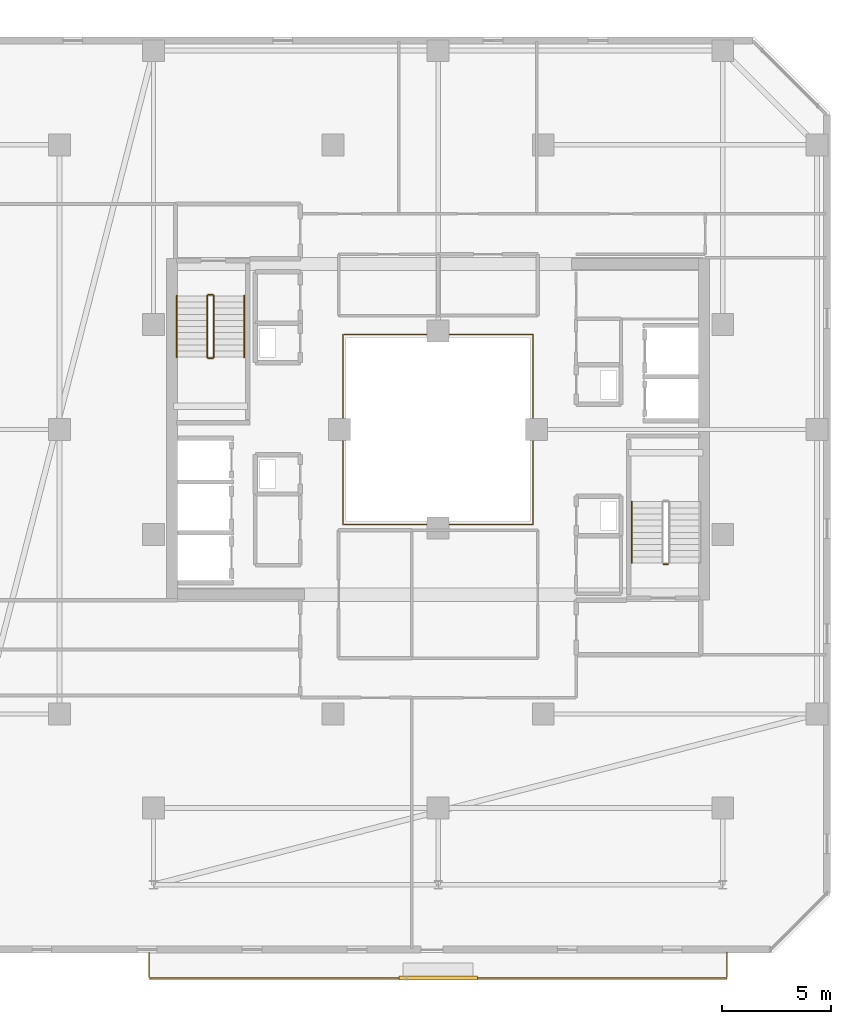
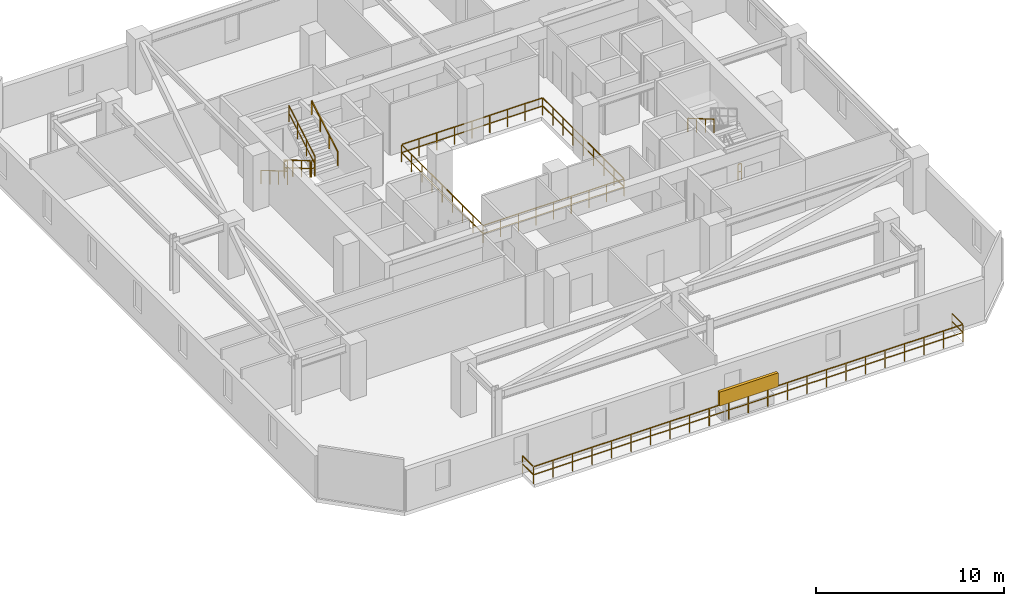
# One storey, part 32 of 33: 10 railings, 1 shading device.
"""IFC4 building model written with IfcOpenShell, lengths in metres."""

from ifc_helpers import new_model, si_unit, direction, frame, origin, origin_2d, place, context, subcontext, project, spatial, rectangle, extrude, material, type_object, element, save


model = new_model("IFC4")

# Units and contexts
model_context = context("Model", 3, precision=1e-05, world=origin(), true_north=direction((0.0, 1.0)))
body_context = subcontext(model_context, "Body", "Model", "MODEL_VIEW")
ifc_project = project(units=[si_unit("LENGTHUNIT", "METRE"), si_unit("AREAUNIT", "SQUARE_METRE"), si_unit("VOLUMEUNIT", "CUBIC_METRE"), si_unit("PLANEANGLEUNIT", "RADIAN"), si_unit("MASSUNIT", "GRAM", prefix="KILO")], contexts=[model_context])

# Site, building, storey
site_placement = place(None, origin())
site = spatial("IfcSite", under=ifc_project, at=site_placement, CompositionType="ELEMENT")
building_placement = place(site_placement, origin())
building = spatial("IfcBuilding", under=site, at=building_placement, Name="Thornwick Lancets Civic Towers", CompositionType="ELEMENT")
storey_placement = place(building_placement, frame((0.0, 0.0, 210.89990234375)))
storey = spatial("IfcBuildingStorey", under=building, at=storey_placement, Name="L56", CompositionType="ELEMENT", Elevation=210.89990234375)

# Railings
ifc_material_1 = material(Name="Laminated glass and bronze steel S355", Category="steel")
railing_type_1 = type_object("IfcRailingType", Name="RAIL_ATRIUM_GUARD", PredefinedType="BALUSTRADE", material=ifc_material_1)
railing_1_placement = place(storey_placement, frame((84.159912109375, 22.659912109375, 0.0)))
element("IfcRailing", 1, at=railing_1_placement, inside=storey, type_object=railing_type_1, Name="L56 Tower B Central Atrium Guard Balustrade", PredefinedType="BALUSTRADE", context=body_context, shape_type="SweptSolid", body=[
    extrude(rectangle(XDim=0.048095703125, YDim=0.048095703125, at=origin_2d()), frame((0.0, 0.0, 1.1259765625), z_axis=(1.0, 0.0, 0.0), x_axis=(0.0, 1.0, 0.0)), (0.0, 0.0, 1.0), 8.64892578125),
    extrude(rectangle(XDim=0.0419921875, YDim=0.0419921875, at=origin_2d()), frame((0.03759765625, 0.0, 0.597900390625), z_axis=(1.0, 0.0, 0.0), x_axis=(0.0, 1.0, 0.0)), (0.0, 0.0, 1.0), 1.010009765625),
    extrude(rectangle(XDim=0.0419921875, YDim=0.0419921875, at=origin_2d()), frame((1.12255859375, 0.0, 0.597900390625), z_axis=(1.0, 0.0, 0.0), x_axis=(0.0, 1.0, 0.0)), (0.0, 0.0, 1.0), 1.010009765625),
    extrude(rectangle(XDim=0.0419921875, YDim=0.0419921875, at=origin_2d()), frame((2.20751953125, 0.0, 0.597900390625), z_axis=(1.0, 0.0, 0.0), x_axis=(0.0, 1.0, 0.0)), (0.0, 0.0, 1.0), 1.010009765625),
    extrude(rectangle(XDim=0.0419921875, YDim=0.0419921875, at=origin_2d()), frame((3.29248046875, 0.0, 0.597900390625), z_axis=(1.0, 0.0, 0.0), x_axis=(0.0, 1.0, 0.0)), (0.0, 0.0, 1.0), 1.010009765625),
    extrude(rectangle(XDim=0.0419921875, YDim=0.0419921875, at=origin_2d()), frame((4.377685546875, 0.0, 0.597900390625), z_axis=(1.0, 0.0, 0.0), x_axis=(0.0, 1.0, 0.0)), (0.0, 0.0, 1.0), 1.010009765625),
    extrude(rectangle(XDim=0.0419921875, YDim=0.0419921875, at=origin_2d()), frame((5.462646484375, 0.0, 0.597900390625), z_axis=(1.0, 0.0, 0.0), x_axis=(0.0, 1.0, 0.0)), (0.0, 0.0, 1.0), 1.010009765625),
    extrude(rectangle(XDim=0.0419921875, YDim=0.0419921875, at=origin_2d()), frame((6.547607421875, 0.0, 0.597900390625), z_axis=(1.0, 0.0, 0.0), x_axis=(0.0, 1.0, 0.0)), (0.0, 0.0, 1.0), 1.010009765625),
    extrude(rectangle(XDim=0.0419921875, YDim=0.0419921875, at=origin_2d()), frame((7.632568359375, 0.0, 0.597900390625), z_axis=(1.0, 0.0, 0.0), x_axis=(0.0, 1.0, 0.0)), (0.0, 0.0, 1.0), 1.010009765625),
    extrude(rectangle(XDim=0.048095703125, YDim=0.048095703125, at=origin_2d()), frame((8.68017578125, 0.03125, 1.1259765625), z_axis=(0.0, 1.0, 0.0), x_axis=(-1.0, 0.0, 0.0)), (0.0, 0.0, 1.0), 8.61767578125),
    extrude(rectangle(XDim=0.0419921875, YDim=0.0419921875, at=origin_2d()), frame((8.68017578125, 0.03759765625, 0.597900390625), z_axis=(0.0, 1.0, 0.0), x_axis=(-1.0, 0.0, 0.0)), (0.0, 0.0, 1.0), 1.010009765625),
    extrude(rectangle(XDim=0.0419921875, YDim=0.0419921875, at=origin_2d()), frame((8.68017578125, 1.12255859375, 0.597900390625), z_axis=(0.0, 1.0, 0.0), x_axis=(-1.0, 0.0, 0.0)), (0.0, 0.0, 1.0), 1.010009765625),
    extrude(rectangle(XDim=0.0419921875, YDim=0.0419921875, at=origin_2d()), frame((8.68017578125, 2.20751953125, 0.597900390625), z_axis=(0.0, 1.0, 0.0), x_axis=(-1.0, 0.0, 0.0)), (0.0, 0.0, 1.0), 1.010009765625),
    extrude(rectangle(XDim=0.0419921875, YDim=0.0419921875, at=origin_2d()), frame((8.68017578125, 3.29248046875, 0.597900390625), z_axis=(0.0, 1.0, 0.0), x_axis=(-1.0, 0.0, 0.0)), (0.0, 0.0, 1.0), 1.010009765625),
    extrude(rectangle(XDim=0.0419921875, YDim=0.0419921875, at=origin_2d()), frame((8.68017578125, 4.377685546875, 0.597900390625), z_axis=(0.0, 1.0, 0.0), x_axis=(-1.0, 0.0, 0.0)), (0.0, 0.0, 1.0), 1.010009765625),
    extrude(rectangle(XDim=0.0419921875, YDim=0.0419921875, at=origin_2d()), frame((8.68017578125, 5.462646484375, 0.597900390625), z_axis=(0.0, 1.0, 0.0), x_axis=(-1.0, 0.0, 0.0)), (0.0, 0.0, 1.0), 1.010009765625),
    extrude(rectangle(XDim=0.0419921875, YDim=0.0419921875, at=origin_2d()), frame((8.68017578125, 6.547607421875, 0.597900390625), z_axis=(0.0, 1.0, 0.0), x_axis=(-1.0, 0.0, 0.0)), (0.0, 0.0, 1.0), 1.010009765625),
    extrude(rectangle(XDim=0.0419921875, YDim=0.0419921875, at=origin_2d()), frame((8.68017578125, 7.632568359375, 0.597900390625), z_axis=(0.0, 1.0, 0.0), x_axis=(-1.0, 0.0, 0.0)), (0.0, 0.0, 1.0), 1.010009765625),
    extrude(rectangle(XDim=0.048095703125, YDim=0.048095703125, at=origin_2d()), frame((8.64892578125, 8.68017578125, 1.1259765625), z_axis=(-1.0, 0.0, 0.0), x_axis=(0.0, -1.0, 0.0)), (0.0, 0.0, 1.0), 8.61767578125),
    extrude(rectangle(XDim=0.0419921875, YDim=0.0419921875, at=origin_2d()), frame((8.642578125, 8.68017578125, 0.597900390625), z_axis=(-1.0, 0.0, 0.0), x_axis=(0.0, -1.0, 0.0)), (0.0, 0.0, 1.0), 1.010009765625),
    extrude(rectangle(XDim=0.0419921875, YDim=0.0419921875, at=origin_2d()), frame((7.5576171875, 8.68017578125, 0.597900390625), z_axis=(-1.0, 0.0, 0.0), x_axis=(0.0, -1.0, 0.0)), (0.0, 0.0, 1.0), 1.010009765625),
    extrude(rectangle(XDim=0.0419921875, YDim=0.0419921875, at=origin_2d()), frame((6.47265625, 8.68017578125, 0.597900390625), z_axis=(-1.0, 0.0, 0.0), x_axis=(0.0, -1.0, 0.0)), (0.0, 0.0, 1.0), 1.010009765625),
    extrude(rectangle(XDim=0.0419921875, YDim=0.0419921875, at=origin_2d()), frame((5.3876953125, 8.68017578125, 0.597900390625), z_axis=(-1.0, 0.0, 0.0), x_axis=(0.0, -1.0, 0.0)), (0.0, 0.0, 1.0), 1.010009765625),
    extrude(rectangle(XDim=0.0419921875, YDim=0.0419921875, at=origin_2d()), frame((4.302490234375, 8.68017578125, 0.597900390625), z_axis=(-1.0, 0.0, 0.0), x_axis=(0.0, -1.0, 0.0)), (0.0, 0.0, 1.0), 1.010009765625),
    extrude(rectangle(XDim=0.0419921875, YDim=0.0419921875, at=origin_2d()), frame((3.217529296875, 8.68017578125, 0.597900390625), z_axis=(-1.0, 0.0, 0.0), x_axis=(0.0, -1.0, 0.0)), (0.0, 0.0, 1.0), 1.010009765625),
    extrude(rectangle(XDim=0.0419921875, YDim=0.0419921875, at=origin_2d()), frame((2.132568359375, 8.68017578125, 0.597900390625), z_axis=(-1.0, 0.0, 0.0), x_axis=(0.0, -1.0, 0.0)), (0.0, 0.0, 1.0), 1.010009765625),
    extrude(rectangle(XDim=0.0419921875, YDim=0.0419921875, at=origin_2d()), frame((1.047607421875, 8.68017578125, 0.597900390625), z_axis=(-1.0, 0.0, 0.0), x_axis=(0.0, -1.0, 0.0)), (0.0, 0.0, 1.0), 1.010009765625),
    extrude(rectangle(XDim=0.048095703125, YDim=0.048095703125, at=origin_2d()), frame((0.0, 8.64892578125, 1.1259765625), z_axis=(0.0, -1.0, 0.0), x_axis=(1.0, 0.0, 0.0)), (0.0, 0.0, 1.0), 8.64892578125),
    extrude(rectangle(XDim=0.0419921875, YDim=0.0419921875, at=origin_2d()), frame((0.0, 8.642578125, 0.597900390625), z_axis=(0.0, -1.0, 0.0), x_axis=(1.0, 0.0, 0.0)), (0.0, 0.0, 1.0), 1.010009765625),
    extrude(rectangle(XDim=0.0419921875, YDim=0.0419921875, at=origin_2d()), frame((0.0, 7.5576171875, 0.597900390625), z_axis=(0.0, -1.0, 0.0), x_axis=(1.0, 0.0, 0.0)), (0.0, 0.0, 1.0), 1.010009765625),
    extrude(rectangle(XDim=0.0419921875, YDim=0.0419921875, at=origin_2d()), frame((0.0, 6.47265625, 0.597900390625), z_axis=(0.0, -1.0, 0.0), x_axis=(1.0, 0.0, 0.0)), (0.0, 0.0, 1.0), 1.010009765625),
    extrude(rectangle(XDim=0.0419921875, YDim=0.0419921875, at=origin_2d()), frame((0.0, 5.3876953125, 0.597900390625), z_axis=(0.0, -1.0, 0.0), x_axis=(1.0, 0.0, 0.0)), (0.0, 0.0, 1.0), 1.010009765625),
    extrude(rectangle(XDim=0.0419921875, YDim=0.0419921875, at=origin_2d()), frame((0.0, 4.302490234375, 0.597900390625), z_axis=(0.0, -1.0, 0.0), x_axis=(1.0, 0.0, 0.0)), (0.0, 0.0, 1.0), 1.010009765625),
    extrude(rectangle(XDim=0.0419921875, YDim=0.0419921875, at=origin_2d()), frame((0.0, 3.217529296875, 0.597900390625), z_axis=(0.0, -1.0, 0.0), x_axis=(1.0, 0.0, 0.0)), (0.0, 0.0, 1.0), 1.010009765625),
    extrude(rectangle(XDim=0.0419921875, YDim=0.0419921875, at=origin_2d()), frame((0.0, 2.132568359375, 0.597900390625), z_axis=(0.0, -1.0, 0.0), x_axis=(1.0, 0.0, 0.0)), (0.0, 0.0, 1.0), 1.010009765625),
    extrude(rectangle(XDim=0.0419921875, YDim=0.0419921875, at=origin_2d()), frame((0.0, 1.047607421875, 0.597900390625), z_axis=(0.0, -1.0, 0.0), x_axis=(1.0, 0.0, 0.0)), (0.0, 0.0, 1.0), 1.010009765625),
    extrude(rectangle(XDim=0.0419921875, YDim=0.0419921875, at=origin_2d()), origin(), (0.0, 0.0, 1.0), 1.095703125),
    extrude(rectangle(XDim=0.0419921875, YDim=0.0419921875, at=origin_2d()), frame((1.0849609375, 0.0, 0.0)), (0.0, 0.0, 1.0), 1.095703125),
    extrude(rectangle(XDim=0.0419921875, YDim=0.0419921875, at=origin_2d()), frame((2.169921875, 0.0, 0.0)), (0.0, 0.0, 1.0), 1.095703125),
    extrude(rectangle(XDim=0.0419921875, YDim=0.0419921875, at=origin_2d()), frame((3.255126953125, 0.0, 0.0)), (0.0, 0.0, 1.0), 1.095703125),
    extrude(rectangle(XDim=0.0419921875, YDim=0.0419921875, at=origin_2d()), frame((4.340087890625, 0.0, 0.0)), (0.0, 0.0, 1.0), 1.095703125),
    extrude(rectangle(XDim=0.0419921875, YDim=0.0419921875, at=origin_2d()), frame((5.425048828125, 0.0, 0.0)), (0.0, 0.0, 1.0), 1.095703125),
    extrude(rectangle(XDim=0.0419921875, YDim=0.0419921875, at=origin_2d()), frame((6.51025390625, 0.0, 0.0)), (0.0, 0.0, 1.0), 1.095703125),
    extrude(rectangle(XDim=0.0419921875, YDim=0.0419921875, at=origin_2d()), frame((7.59521484375, 0.0, 0.0)), (0.0, 0.0, 1.0), 1.095703125),
    extrude(rectangle(XDim=0.0419921875, YDim=0.0419921875, at=origin_2d()), frame((8.68017578125, 0.0, 0.0)), (0.0, 0.0, 1.0), 1.095703125),
    extrude(rectangle(XDim=0.0419921875, YDim=0.0419921875, at=origin_2d()), frame((8.68017578125, 1.0849609375, 0.0)), (0.0, 0.0, 1.0), 1.095703125),
    extrude(rectangle(XDim=0.0419921875, YDim=0.0419921875, at=origin_2d()), frame((8.68017578125, 2.169921875, 0.0)), (0.0, 0.0, 1.0), 1.095703125),
    extrude(rectangle(XDim=0.0419921875, YDim=0.0419921875, at=origin_2d()), frame((8.68017578125, 3.255126953125, 0.0)), (0.0, 0.0, 1.0), 1.095703125),
    extrude(rectangle(XDim=0.0419921875, YDim=0.0419921875, at=origin_2d()), frame((8.68017578125, 4.340087890625, 0.0)), (0.0, 0.0, 1.0), 1.095703125),
    extrude(rectangle(XDim=0.0419921875, YDim=0.0419921875, at=origin_2d()), frame((8.68017578125, 5.425048828125, 0.0)), (0.0, 0.0, 1.0), 1.095703125),
    extrude(rectangle(XDim=0.0419921875, YDim=0.0419921875, at=origin_2d()), frame((8.68017578125, 6.51025390625, 0.0)), (0.0, 0.0, 1.0), 1.095703125),
    extrude(rectangle(XDim=0.0419921875, YDim=0.0419921875, at=origin_2d()), frame((8.68017578125, 7.59521484375, 0.0)), (0.0, 0.0, 1.0), 1.095703125),
    extrude(rectangle(XDim=0.0419921875, YDim=0.0419921875, at=origin_2d()), frame((8.68017578125, 8.68017578125, 0.0)), (0.0, 0.0, 1.0), 1.095703125),
    extrude(rectangle(XDim=0.0419921875, YDim=0.0419921875, at=origin_2d()), frame((7.59521484375, 8.68017578125, 0.0)), (0.0, 0.0, 1.0), 1.095703125),
    extrude(rectangle(XDim=0.0419921875, YDim=0.0419921875, at=origin_2d()), frame((6.51025390625, 8.68017578125, 0.0)), (0.0, 0.0, 1.0), 1.095703125),
    extrude(rectangle(XDim=0.0419921875, YDim=0.0419921875, at=origin_2d()), frame((5.425048828125, 8.68017578125, 0.0)), (0.0, 0.0, 1.0), 1.095703125),
    extrude(rectangle(XDim=0.0419921875, YDim=0.0419921875, at=origin_2d()), frame((4.340087890625, 8.68017578125, 0.0)), (0.0, 0.0, 1.0), 1.095703125),
    extrude(rectangle(XDim=0.0419921875, YDim=0.0419921875, at=origin_2d()), frame((3.255126953125, 8.68017578125, 0.0)), (0.0, 0.0, 1.0), 1.095703125),
    extrude(rectangle(XDim=0.0419921875, YDim=0.0419921875, at=origin_2d()), frame((2.169921875, 8.68017578125, 0.0)), (0.0, 0.0, 1.0), 1.095703125),
    extrude(rectangle(XDim=0.0419921875, YDim=0.0419921875, at=origin_2d()), frame((1.0849609375, 8.68017578125, 0.0)), (0.0, 0.0, 1.0), 1.095703125),
    extrude(rectangle(XDim=0.0419921875, YDim=0.0419921875, at=origin_2d()), frame((0.0, 8.68017578125, 0.0)), (0.0, 0.0, 1.0), 1.095703125),
    extrude(rectangle(XDim=0.0419921875, YDim=0.0419921875, at=origin_2d()), frame((0.0, 7.59521484375, 0.0)), (0.0, 0.0, 1.0), 1.095703125),
    extrude(rectangle(XDim=0.0419921875, YDim=0.0419921875, at=origin_2d()), frame((0.0, 6.51025390625, 0.0)), (0.0, 0.0, 1.0), 1.095703125),
    extrude(rectangle(XDim=0.0419921875, YDim=0.0419921875, at=origin_2d()), frame((0.0, 5.425048828125, 0.0)), (0.0, 0.0, 1.0), 1.095703125),
    extrude(rectangle(XDim=0.0419921875, YDim=0.0419921875, at=origin_2d()), frame((0.0, 4.340087890625, 0.0)), (0.0, 0.0, 1.0), 1.095703125),
    extrude(rectangle(XDim=0.0419921875, YDim=0.0419921875, at=origin_2d()), frame((0.0, 3.255126953125, 0.0)), (0.0, 0.0, 1.0), 1.095703125),
    extrude(rectangle(XDim=0.0419921875, YDim=0.0419921875, at=origin_2d()), frame((0.0, 2.169921875, 0.0)), (0.0, 0.0, 1.0), 1.095703125),
    extrude(rectangle(XDim=0.0419921875, YDim=0.0419921875, at=origin_2d()), frame((0.0, 1.0849609375, 0.0)), (0.0, 0.0, 1.0), 1.095703125),
])
ifc_material_2 = material(Name="Brushed stainless steel S355", Category="steel")
railing_type_2 = type_object("IfcRailingType", Name="RAIL_HANDRAIL", PredefinedType="HANDRAIL", material=ifc_material_2)
railing_2_placement = place(storey_placement, frame((97.35009765625, 23.699951171875, 1.963623046875)))
element("IfcRailing", 2, at=railing_2_placement, inside=storey, type_object=railing_type_2, Name="L56 ST-B1 stair handrail 2", PredefinedType="HANDRAIL", context=body_context, shape_type="SweptSolid", body=[
    extrude(rectangle(XDim=0.048095703125, YDim=0.048095703125, at=origin_2d()), frame((0.0, 0.0, 0.8857421875), z_axis=(0.0, -0.863360870873, 0.504586966384), x_axis=(1.0, 0.0, 0.0)), (0.0, 0.0, 1.0), 3.2431640625),
    extrude(rectangle(XDim=0.0419921875, YDim=0.0419921875, at=origin_2d()), origin(), (0.0, 0.0, 1.0), 0.855712890625),
    extrude(rectangle(XDim=0.0419921875, YDim=0.0419921875, at=origin_2d()), frame((0.0, -0.933349609375, 0.54541015625)), (0.0, 0.0, 1.0), 0.855712890625),
    extrude(rectangle(XDim=0.0419921875, YDim=0.0419921875, at=origin_2d()), frame((0.0, -1.86669921875, 1.091064453125)), (0.0, 0.0, 1.0), 0.855712890625),
    extrude(rectangle(XDim=0.0419921875, YDim=0.0419921875, at=origin_2d()), frame((0.0, -2.800048828125, 1.636474609375)), (0.0, 0.0, 1.0), 0.855712890625),
])
railing_3_placement = place(storey_placement, frame((76.550048828125, 33.10009765625, 0.163818359375)))
element("IfcRailing", 3, at=railing_3_placement, inside=storey, type_object=railing_type_2, Name="L56 ST-B2 stair handrail 1", PredefinedType="HANDRAIL", context=body_context, shape_type="SweptSolid", body=[
    extrude(rectangle(XDim=0.048095703125, YDim=0.048095703125, at=origin_2d()), frame((0.0, 0.0, 0.8857421875), z_axis=(0.0, -0.863393664356, 0.504530851732), x_axis=(1.0, 0.0, 0.0)), (0.0, 0.0, 1.0), 3.2431640625),
    extrude(rectangle(XDim=0.0419921875, YDim=0.0419921875, at=origin_2d()), origin(), (0.0, 0.0, 1.0), 0.855712890625),
    extrude(rectangle(XDim=0.0419921875, YDim=0.0419921875, at=origin_2d()), frame((0.0, -0.933349609375, 0.54541015625)), (0.0, 0.0, 1.0), 0.855712890625),
    extrude(rectangle(XDim=0.0419921875, YDim=0.0419921875, at=origin_2d()), frame((0.0, -1.86669921875, 1.0908203125)), (0.0, 0.0, 1.0), 0.855712890625),
    extrude(rectangle(XDim=0.0419921875, YDim=0.0419921875, at=origin_2d()), frame((0.0, -2.800048828125, 1.63623046875)), (0.0, 0.0, 1.0), 0.855712890625),
])
railing_4_placement = place(storey_placement, frame((79.64990234375, 30.300048828125, 1.963623046875)))
element("IfcRailing", 4, at=railing_4_placement, inside=storey, type_object=railing_type_2, Name="L56 ST-B2 stair handrail 2", PredefinedType="HANDRAIL", context=body_context, shape_type="SweptSolid", body=[
    extrude(rectangle(XDim=0.048095703125, YDim=0.048095703125, at=origin_2d()), frame((0.0, 0.0, 0.8857421875), z_axis=(0.0, 0.863360870873, 0.504586966384), x_axis=(-1.0, 0.0, 0.0)), (0.0, 0.0, 1.0), 3.2431640625),
    extrude(rectangle(XDim=0.0419921875, YDim=0.0419921875, at=origin_2d()), origin(), (0.0, 0.0, 1.0), 0.855712890625),
    extrude(rectangle(XDim=0.0419921875, YDim=0.0419921875, at=origin_2d()), frame((0.0, 0.933349609375, 0.54541015625)), (0.0, 0.0, 1.0), 0.855712890625),
    extrude(rectangle(XDim=0.0419921875, YDim=0.0419921875, at=origin_2d()), frame((0.0, 1.86669921875, 1.091064453125)), (0.0, 0.0, 1.0), 0.855712890625),
    extrude(rectangle(XDim=0.0419921875, YDim=0.0419921875, at=origin_2d()), frame((0.0, 2.800048828125, 1.636474609375)), (0.0, 0.0, 1.0), 0.855712890625),
])
ifc_material_3 = material(Name="Steel S355JR", Category="steel")
railing_type_3 = type_object("IfcRailingType", Name="RAIL_STAIR_GUARD", PredefinedType="GUARDRAIL", material=ifc_material_3)
railing_5_placement = place(storey_placement, frame((99.0, 20.85009765625, 0.0)))
element("IfcRailing", 5, at=railing_5_placement, inside=storey, type_object=railing_type_3, Name="L56 ST-B1 stair guard 4", PredefinedType="GUARDRAIL", context=body_context, shape_type="SweptSolid", body=[
    extrude(rectangle(XDim=0.048095703125, YDim=0.048095703125, at=origin_2d()), frame((0.0, 0.0, 1.076171875), z_axis=(-1.0, 0.0, 0.0), x_axis=(0.0, -1.0, 0.0)), (0.0, 0.0, 1.0), 0.199951171875),
    extrude(rectangle(XDim=0.0419921875, YDim=0.0419921875, at=origin_2d()), frame((-0.03759765625, 0.0, 0.572021484375), z_axis=(-1.0, 0.0, 0.0), x_axis=(0.0, -1.0, 0.0)), (0.0, 0.0, 1.0), 0.125),
    extrude(rectangle(XDim=0.0419921875, YDim=0.0419921875, at=origin_2d()), origin(), (0.0, 0.0, 1.0), 1.0458984375),
    extrude(rectangle(XDim=0.0419921875, YDim=0.0419921875, at=origin_2d()), frame((-0.199951171875, 0.0, 0.0)), (0.0, 0.0, 1.0), 1.0458984375),
])
railing_6_placement = place(storey_placement, frame((77.949951171875, 33.10009765625, 0.163818359375)))
element("IfcRailing", 6, at=railing_6_placement, inside=storey, type_object=railing_type_3, Name="L56 ST-B2 stair guard 1", PredefinedType="GUARDRAIL", context=body_context, shape_type="SweptSolid", body=[
    extrude(rectangle(XDim=0.048095703125, YDim=0.048095703125, at=origin_2d()), frame((0.0, 0.0, 1.076171875), z_axis=(0.0, -0.863393664356, 0.504530851732), x_axis=(1.0, 0.0, 0.0)), (0.0, 0.0, 1.0), 3.2431640625),
    extrude(rectangle(XDim=0.0419921875, YDim=0.0419921875, at=origin_2d()), frame((0.0, -0.032470703125, 0.591064453125), z_axis=(0.0, -0.863393664356, 0.504530851732), x_axis=(1.0, 0.0, 0.0)), (0.0, 0.0, 1.0), 1.006103515625),
    extrude(rectangle(XDim=0.0419921875, YDim=0.0419921875, at=origin_2d()), frame((0.0, -0.9658203125, 1.136474609375), z_axis=(0.0, -0.863393664356, 0.504530851732), x_axis=(1.0, 0.0, 0.0)), (0.0, 0.0, 1.0), 1.006103515625),
    extrude(rectangle(XDim=0.0419921875, YDim=0.0419921875, at=origin_2d()), frame((0.0, -1.899169921875, 1.681884765625), z_axis=(0.0, -0.863393664356, 0.504530851732), x_axis=(1.0, 0.0, 0.0)), (0.0, 0.0, 1.0), 1.006103515625),
    extrude(rectangle(XDim=0.0419921875, YDim=0.0419921875, at=origin_2d()), origin(), (0.0, 0.0, 1.0), 1.0458984375),
    extrude(rectangle(XDim=0.0419921875, YDim=0.0419921875, at=origin_2d()), frame((0.0, -0.933349609375, 0.54541015625)), (0.0, 0.0, 1.0), 1.0458984375),
    extrude(rectangle(XDim=0.0419921875, YDim=0.0419921875, at=origin_2d()), frame((0.0, -1.86669921875, 1.0908203125)), (0.0, 0.0, 1.0), 1.0458984375),
    extrude(rectangle(XDim=0.0419921875, YDim=0.0419921875, at=origin_2d()), frame((0.0, -2.800048828125, 1.63623046875)), (0.0, 0.0, 1.0), 1.0458984375),
])
railing_7_placement = place(storey_placement, frame((78.0, 30.25, 1.800048828125)))
element("IfcRailing", 7, at=railing_7_placement, inside=storey, type_object=railing_type_3, Name="L56 ST-B2 stair guard 2", PredefinedType="GUARDRAIL", context=body_context, shape_type="SweptSolid", body=[
    extrude(rectangle(XDim=0.048095703125, YDim=0.048095703125, at=origin_2d()), frame((0.0, 0.0, 1.076171875), z_axis=(1.0, 0.0, 0.0), x_axis=(0.0, 1.0, 0.0)), (0.0, 0.0, 1.0), 0.199951171875),
    extrude(rectangle(XDim=0.0419921875, YDim=0.0419921875, at=origin_2d()), frame((0.03759765625, 0.0, 0.572021484375), z_axis=(1.0, 0.0, 0.0), x_axis=(0.0, 1.0, 0.0)), (0.0, 0.0, 1.0), 0.125),
    extrude(rectangle(XDim=0.0419921875, YDim=0.0419921875, at=origin_2d()), origin(), (0.0, 0.0, 1.0), 1.0458984375),
    extrude(rectangle(XDim=0.0419921875, YDim=0.0419921875, at=origin_2d()), frame((0.199951171875, 0.0, 0.0)), (0.0, 0.0, 1.0), 1.0458984375),
])
railing_8_placement = place(storey_placement, frame((78.25, 30.300048828125, 1.963623046875)))
element("IfcRailing", 8, at=railing_8_placement, inside=storey, type_object=railing_type_3, Name="L56 ST-B2 stair guard 3", PredefinedType="GUARDRAIL", context=body_context, shape_type="SweptSolid", body=[
    extrude(rectangle(XDim=0.048095703125, YDim=0.048095703125, at=origin_2d()), frame((0.0, 0.0, 1.076171875), z_axis=(0.0, 0.863360870873, 0.504586966384), x_axis=(-1.0, 0.0, 0.0)), (0.0, 0.0, 1.0), 3.2431640625),
    extrude(rectangle(XDim=0.0419921875, YDim=0.0419921875, at=origin_2d()), frame((0.0, 0.032470703125, 0.591064453125), z_axis=(0.0, 0.863360870873, 0.504586966384), x_axis=(-1.0, 0.0, 0.0)), (0.0, 0.0, 1.0), 1.006103515625),
    extrude(rectangle(XDim=0.0419921875, YDim=0.0419921875, at=origin_2d()), frame((0.0, 0.9658203125, 1.136474609375), z_axis=(0.0, 0.863360870873, 0.504586966384), x_axis=(-1.0, 0.0, 0.0)), (0.0, 0.0, 1.0), 1.006103515625),
    extrude(rectangle(XDim=0.0419921875, YDim=0.0419921875, at=origin_2d()), frame((0.0, 1.899169921875, 1.681884765625), z_axis=(0.0, 0.863360870873, 0.504586966384), x_axis=(-1.0, 0.0, 0.0)), (0.0, 0.0, 1.0), 1.006103515625),
    extrude(rectangle(XDim=0.0419921875, YDim=0.0419921875, at=origin_2d()), origin(), (0.0, 0.0, 1.0), 1.0458984375),
    extrude(rectangle(XDim=0.0419921875, YDim=0.0419921875, at=origin_2d()), frame((0.0, 0.933349609375, 0.54541015625)), (0.0, 0.0, 1.0), 1.0458984375),
    extrude(rectangle(XDim=0.0419921875, YDim=0.0419921875, at=origin_2d()), frame((0.0, 1.86669921875, 1.091064453125)), (0.0, 0.0, 1.0), 1.0458984375),
    extrude(rectangle(XDim=0.0419921875, YDim=0.0419921875, at=origin_2d()), frame((0.0, 2.800048828125, 1.636474609375)), (0.0, 0.0, 1.0), 1.0458984375),
])
railing_9_placement = place(storey_placement, frame((78.0, 33.14990234375, 0.0)))
element("IfcRailing", 9, at=railing_9_placement, inside=storey, type_object=railing_type_3, Name="L56 ST-B2 stair guard 4", PredefinedType="GUARDRAIL", context=body_context, shape_type="SweptSolid", body=[
    extrude(rectangle(XDim=0.048095703125, YDim=0.048095703125, at=origin_2d()), frame((0.0, 0.0, 1.076171875), z_axis=(1.0, 0.0, 0.0), x_axis=(0.0, 1.0, 0.0)), (0.0, 0.0, 1.0), 0.199951171875),
    extrude(rectangle(XDim=0.0419921875, YDim=0.0419921875, at=origin_2d()), frame((0.03759765625, 0.0, 0.572021484375), z_axis=(1.0, 0.0, 0.0), x_axis=(0.0, 1.0, 0.0)), (0.0, 0.0, 1.0), 0.125),
    extrude(rectangle(XDim=0.0419921875, YDim=0.0419921875, at=origin_2d()), origin(), (0.0, 0.0, 1.0), 1.0458984375),
    extrude(rectangle(XDim=0.0419921875, YDim=0.0419921875, at=origin_2d()), frame((0.199951171875, 0.0, 0.0)), (0.0, 0.0, 1.0), 1.0458984375),
])
ifc_material_4 = material(Name="Terracotta-capped laminated glass balustrade S355", Category="masonry")
railing_type_4 = type_object("IfcRailingType", Name="RAIL_TERR_GUARD", PredefinedType="GUARDRAIL", material=ifc_material_4)
railing_10_placement = place(storey_placement, frame((75.300048828125, 3.10009765625, 0.0)))
element("IfcRailing", 10, at=railing_10_placement, inside=storey, type_object=railing_type_4, Name="L56 Tower B Balcony Guard S", PredefinedType="GUARDRAIL", context=body_context, shape_type="SweptSolid", body=[
    extrude(rectangle(XDim=0.048095703125, YDim=0.048095703125, at=origin_2d()), frame((0.0, 0.0, 1.1259765625), z_axis=(0.0, -1.0, 0.0), x_axis=(1.0, 0.0, 0.0)), (0.0, 0.0, 1.0), 1.138916015625),
    extrude(rectangle(XDim=0.0419921875, YDim=0.0419921875, at=origin_2d()), frame((0.0, -0.03759765625, 0.597900390625), z_axis=(0.0, -1.0, 0.0), x_axis=(1.0, 0.0, 0.0)), (0.0, 0.0, 1.0), 1.09521484375),
    extrude(rectangle(XDim=0.048095703125, YDim=0.048095703125, at=origin_2d()), frame((0.03125, -1.170166015625, 1.1259765625), z_axis=(1.0, 0.0, 0.0), x_axis=(0.0, 1.0, 0.0)), (0.0, 0.0, 1.0), 26.33740234375),
    extrude(rectangle(XDim=0.0419921875, YDim=0.0419921875, at=origin_2d()), frame((0.03759765625, -1.170166015625, 0.597900390625), z_axis=(1.0, 0.0, 0.0), x_axis=(0.0, 1.0, 0.0)), (0.0, 0.0, 1.0), 1.125),
    extrude(rectangle(XDim=0.0419921875, YDim=0.0419921875, at=origin_2d()), frame((1.237548828125, -1.170166015625, 0.597900390625), z_axis=(1.0, 0.0, 0.0), x_axis=(0.0, 1.0, 0.0)), (0.0, 0.0, 1.0), 1.125),
    extrude(rectangle(XDim=0.0419921875, YDim=0.0419921875, at=origin_2d()), frame((2.4375, -1.170166015625, 0.597900390625), z_axis=(1.0, 0.0, 0.0), x_axis=(0.0, 1.0, 0.0)), (0.0, 0.0, 1.0), 1.125),
    extrude(rectangle(XDim=0.0419921875, YDim=0.0419921875, at=origin_2d()), frame((3.637451171875, -1.170166015625, 0.597900390625), z_axis=(1.0, 0.0, 0.0), x_axis=(0.0, 1.0, 0.0)), (0.0, 0.0, 1.0), 1.125),
    extrude(rectangle(XDim=0.0419921875, YDim=0.0419921875, at=origin_2d()), frame((4.83740234375, -1.170166015625, 0.597900390625), z_axis=(1.0, 0.0, 0.0), x_axis=(0.0, 1.0, 0.0)), (0.0, 0.0, 1.0), 1.125),
    extrude(rectangle(XDim=0.0419921875, YDim=0.0419921875, at=origin_2d()), frame((6.037353515625, -1.170166015625, 0.597900390625), z_axis=(1.0, 0.0, 0.0), x_axis=(0.0, 1.0, 0.0)), (0.0, 0.0, 1.0), 1.125),
    extrude(rectangle(XDim=0.0419921875, YDim=0.0419921875, at=origin_2d()), frame((7.237548828125, -1.170166015625, 0.597900390625), z_axis=(1.0, 0.0, 0.0), x_axis=(0.0, 1.0, 0.0)), (0.0, 0.0, 1.0), 1.125),
    extrude(rectangle(XDim=0.0419921875, YDim=0.0419921875, at=origin_2d()), frame((8.4375, -1.170166015625, 0.597900390625), z_axis=(1.0, 0.0, 0.0), x_axis=(0.0, 1.0, 0.0)), (0.0, 0.0, 1.0), 1.125),
    extrude(rectangle(XDim=0.0419921875, YDim=0.0419921875, at=origin_2d()), frame((9.637451171875, -1.170166015625, 0.597900390625), z_axis=(1.0, 0.0, 0.0), x_axis=(0.0, 1.0, 0.0)), (0.0, 0.0, 1.0), 1.125),
    extrude(rectangle(XDim=0.0419921875, YDim=0.0419921875, at=origin_2d()), frame((10.83740234375, -1.170166015625, 0.597900390625), z_axis=(1.0, 0.0, 0.0), x_axis=(0.0, 1.0, 0.0)), (0.0, 0.0, 1.0), 1.125),
    extrude(rectangle(XDim=0.0419921875, YDim=0.0419921875, at=origin_2d()), frame((12.037353515625, -1.170166015625, 0.597900390625), z_axis=(1.0, 0.0, 0.0), x_axis=(0.0, 1.0, 0.0)), (0.0, 0.0, 1.0), 1.125),
    extrude(rectangle(XDim=0.0419921875, YDim=0.0419921875, at=origin_2d()), frame((13.237548828125, -1.170166015625, 0.597900390625), z_axis=(1.0, 0.0, 0.0), x_axis=(0.0, 1.0, 0.0)), (0.0, 0.0, 1.0), 1.125),
    extrude(rectangle(XDim=0.0419921875, YDim=0.0419921875, at=origin_2d()), frame((14.4375, -1.170166015625, 0.597900390625), z_axis=(1.0, 0.0, 0.0), x_axis=(0.0, 1.0, 0.0)), (0.0, 0.0, 1.0), 1.125),
    extrude(rectangle(XDim=0.0419921875, YDim=0.0419921875, at=origin_2d()), frame((15.637451171875, -1.170166015625, 0.597900390625), z_axis=(1.0, 0.0, 0.0), x_axis=(0.0, 1.0, 0.0)), (0.0, 0.0, 1.0), 1.125),
    extrude(rectangle(XDim=0.0419921875, YDim=0.0419921875, at=origin_2d()), frame((16.83740234375, -1.170166015625, 0.597900390625), z_axis=(1.0, 0.0, 0.0), x_axis=(0.0, 1.0, 0.0)), (0.0, 0.0, 1.0), 1.125),
    extrude(rectangle(XDim=0.0419921875, YDim=0.0419921875, at=origin_2d()), frame((18.037353515625, -1.170166015625, 0.597900390625), z_axis=(1.0, 0.0, 0.0), x_axis=(0.0, 1.0, 0.0)), (0.0, 0.0, 1.0), 1.125),
    extrude(rectangle(XDim=0.0419921875, YDim=0.0419921875, at=origin_2d()), frame((19.2373046875, -1.170166015625, 0.597900390625), z_axis=(1.0, 0.0, 0.0), x_axis=(0.0, 1.0, 0.0)), (0.0, 0.0, 1.0), 1.125),
    extrude(rectangle(XDim=0.0419921875, YDim=0.0419921875, at=origin_2d()), frame((20.4375, -1.170166015625, 0.597900390625), z_axis=(1.0, 0.0, 0.0), x_axis=(0.0, 1.0, 0.0)), (0.0, 0.0, 1.0), 1.125),
    extrude(rectangle(XDim=0.0419921875, YDim=0.0419921875, at=origin_2d()), frame((21.637451171875, -1.170166015625, 0.597900390625), z_axis=(1.0, 0.0, 0.0), x_axis=(0.0, 1.0, 0.0)), (0.0, 0.0, 1.0), 1.125),
    extrude(rectangle(XDim=0.0419921875, YDim=0.0419921875, at=origin_2d()), frame((22.83740234375, -1.170166015625, 0.597900390625), z_axis=(1.0, 0.0, 0.0), x_axis=(0.0, 1.0, 0.0)), (0.0, 0.0, 1.0), 1.125),
    extrude(rectangle(XDim=0.0419921875, YDim=0.0419921875, at=origin_2d()), frame((24.037353515625, -1.170166015625, 0.597900390625), z_axis=(1.0, 0.0, 0.0), x_axis=(0.0, 1.0, 0.0)), (0.0, 0.0, 1.0), 1.125),
    extrude(rectangle(XDim=0.0419921875, YDim=0.0419921875, at=origin_2d()), frame((25.2373046875, -1.170166015625, 0.597900390625), z_axis=(1.0, 0.0, 0.0), x_axis=(0.0, 1.0, 0.0)), (0.0, 0.0, 1.0), 1.125),
    extrude(rectangle(XDim=0.048095703125, YDim=0.048095703125, at=origin_2d()), frame((26.39990234375, -1.138916015625, 1.1259765625), z_axis=(0.0, 1.0, 0.0), x_axis=(-1.0, 0.0, 0.0)), (0.0, 0.0, 1.0), 1.138916015625),
    extrude(rectangle(XDim=0.0419921875, YDim=0.0419921875, at=origin_2d()), frame((26.39990234375, -1.132568359375, 0.597900390625), z_axis=(0.0, 1.0, 0.0), x_axis=(-1.0, 0.0, 0.0)), (0.0, 0.0, 1.0), 1.09521484375),
    extrude(rectangle(XDim=0.0419921875, YDim=0.0419921875, at=origin_2d()), origin(), (0.0, 0.0, 1.0), 1.095703125),
    extrude(rectangle(XDim=0.0419921875, YDim=0.0419921875, at=origin_2d()), frame((0.0, -1.170166015625, 0.0)), (0.0, 0.0, 1.0), 1.095703125),
    extrude(rectangle(XDim=0.0419921875, YDim=0.0419921875, at=origin_2d()), frame((1.199951171875, -1.170166015625, 0.0)), (0.0, 0.0, 1.0), 1.095703125),
    extrude(rectangle(XDim=0.0419921875, YDim=0.0419921875, at=origin_2d()), frame((2.39990234375, -1.170166015625, 0.0)), (0.0, 0.0, 1.0), 1.095703125),
    extrude(rectangle(XDim=0.0419921875, YDim=0.0419921875, at=origin_2d()), frame((3.60009765625, -1.170166015625, 0.0)), (0.0, 0.0, 1.0), 1.095703125),
    extrude(rectangle(XDim=0.0419921875, YDim=0.0419921875, at=origin_2d()), frame((4.800048828125, -1.170166015625, 0.0)), (0.0, 0.0, 1.0), 1.095703125),
    extrude(rectangle(XDim=0.0419921875, YDim=0.0419921875, at=origin_2d()), frame((6.0, -1.170166015625, 0.0)), (0.0, 0.0, 1.0), 1.095703125),
    extrude(rectangle(XDim=0.0419921875, YDim=0.0419921875, at=origin_2d()), frame((7.199951171875, -1.170166015625, 0.0)), (0.0, 0.0, 1.0), 1.095703125),
    extrude(rectangle(XDim=0.0419921875, YDim=0.0419921875, at=origin_2d()), frame((8.39990234375, -1.170166015625, 0.0)), (0.0, 0.0, 1.0), 1.095703125),
    extrude(rectangle(XDim=0.0419921875, YDim=0.0419921875, at=origin_2d()), frame((9.599853515625, -1.170166015625, 0.0)), (0.0, 0.0, 1.0), 1.095703125),
    extrude(rectangle(XDim=0.0419921875, YDim=0.0419921875, at=origin_2d()), frame((10.800048828125, -1.170166015625, 0.0)), (0.0, 0.0, 1.0), 1.095703125),
    extrude(rectangle(XDim=0.0419921875, YDim=0.0419921875, at=origin_2d()), frame((12.0, -1.170166015625, 0.0)), (0.0, 0.0, 1.0), 1.095703125),
    extrude(rectangle(XDim=0.0419921875, YDim=0.0419921875, at=origin_2d()), frame((13.199951171875, -1.170166015625, 0.0)), (0.0, 0.0, 1.0), 1.095703125),
    extrude(rectangle(XDim=0.0419921875, YDim=0.0419921875, at=origin_2d()), frame((14.39990234375, -1.170166015625, 0.0)), (0.0, 0.0, 1.0), 1.095703125),
    extrude(rectangle(XDim=0.0419921875, YDim=0.0419921875, at=origin_2d()), frame((15.599853515625, -1.170166015625, 0.0)), (0.0, 0.0, 1.0), 1.095703125),
    extrude(rectangle(XDim=0.0419921875, YDim=0.0419921875, at=origin_2d()), frame((16.800048828125, -1.170166015625, 0.0)), (0.0, 0.0, 1.0), 1.095703125),
    extrude(rectangle(XDim=0.0419921875, YDim=0.0419921875, at=origin_2d()), frame((18.0, -1.170166015625, 0.0)), (0.0, 0.0, 1.0), 1.095703125),
    extrude(rectangle(XDim=0.0419921875, YDim=0.0419921875, at=origin_2d()), frame((19.199951171875, -1.170166015625, 0.0)), (0.0, 0.0, 1.0), 1.095703125),
    extrude(rectangle(XDim=0.0419921875, YDim=0.0419921875, at=origin_2d()), frame((20.39990234375, -1.170166015625, 0.0)), (0.0, 0.0, 1.0), 1.095703125),
    extrude(rectangle(XDim=0.0419921875, YDim=0.0419921875, at=origin_2d()), frame((21.599853515625, -1.170166015625, 0.0)), (0.0, 0.0, 1.0), 1.095703125),
    extrude(rectangle(XDim=0.0419921875, YDim=0.0419921875, at=origin_2d()), frame((22.7998046875, -1.170166015625, 0.0)), (0.0, 0.0, 1.0), 1.095703125),
    extrude(rectangle(XDim=0.0419921875, YDim=0.0419921875, at=origin_2d()), frame((24.0, -1.170166015625, 0.0)), (0.0, 0.0, 1.0), 1.095703125),
    extrude(rectangle(XDim=0.0419921875, YDim=0.0419921875, at=origin_2d()), frame((25.199951171875, -1.170166015625, 0.0)), (0.0, 0.0, 1.0), 1.095703125),
    extrude(rectangle(XDim=0.0419921875, YDim=0.0419921875, at=origin_2d()), frame((26.39990234375, -1.170166015625, 0.0)), (0.0, 0.0, 1.0), 1.095703125),
    extrude(rectangle(XDim=0.0419921875, YDim=0.0419921875, at=origin_2d()), frame((26.39990234375, 0.0, 0.0)), (0.0, 0.0, 1.0), 1.095703125),
])

# Shading device
ifc_material_5 = material(Name="Extruded terracotta baguette solar screen", Category="masonry")
shading_device_type = type_object("IfcShadingDeviceType", Name="SHADE_BAGUETTE", PredefinedType="JALOUSIE", material=ifc_material_5)
shading_device_placement = place(storey_placement, frame((88.5, 1.93994140625, 1.1201171875), z_axis=(0.0, 0.0, 1.0), x_axis=(1.0, 0.0, 0.0)))
element("IfcShadingDevice", 11, at=shading_device_placement, inside=storey, type_object=shading_device_type, Name="L56 Tower B Terracotta Baguette Screen S", PredefinedType="JALOUSIE", context=body_context, shape_type="SweptSolid", body=[
    extrude(rectangle(XDim=3.60009765625, YDim=0.179931640625, at=origin_2d()), origin(), (0.0, 0.0, 1.0), 0.89990234375),
])

save(model, "model.ifc")
